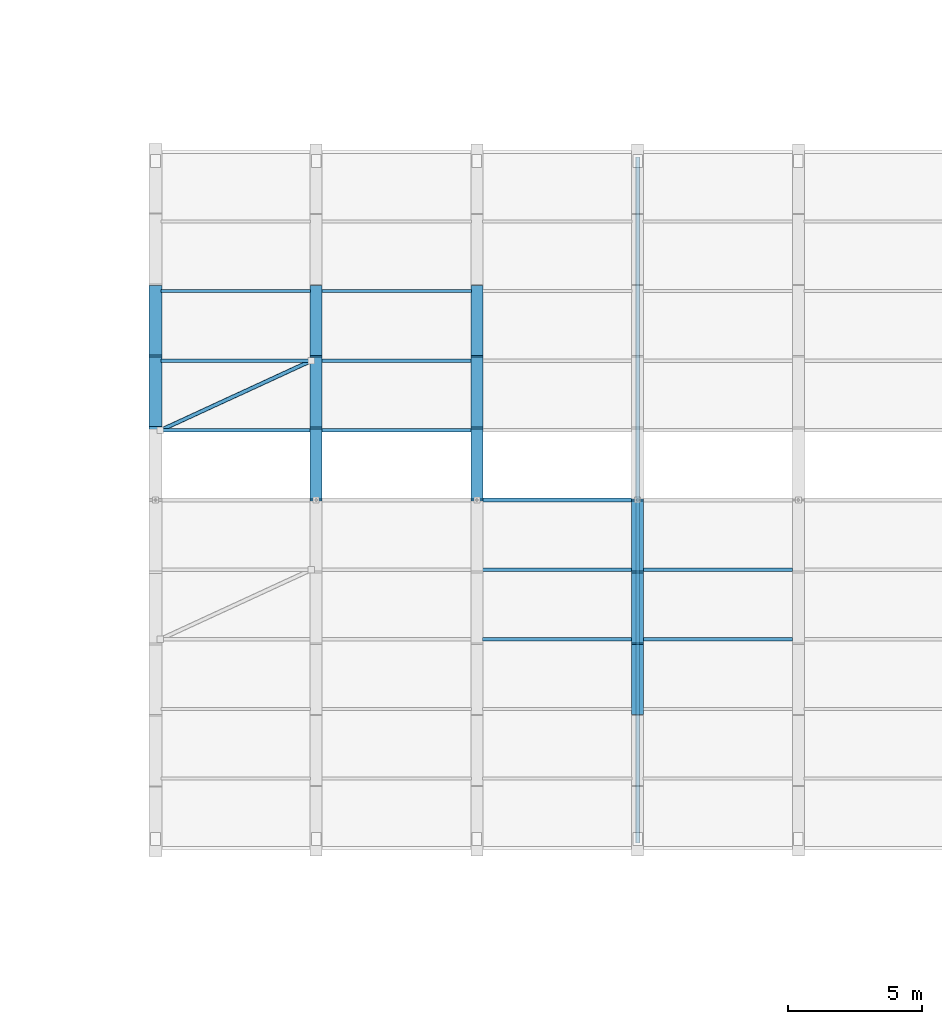
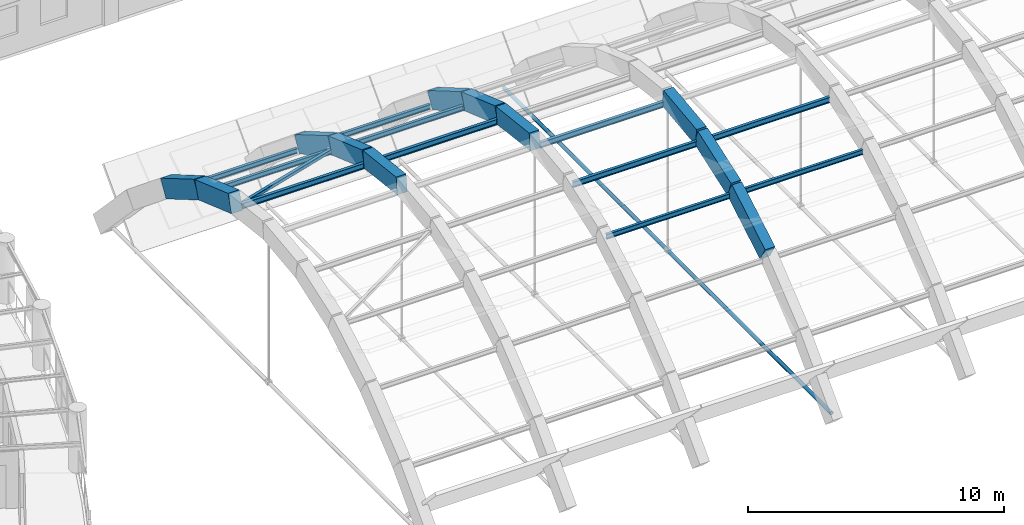
# One storey, part 27 of 123: 22 beams, 2 members.
"""IFC4 building model written with IfcOpenShell, lengths in metres."""

from ifc_helpers import new_model, si_unit, direction, frame, origin, origin_2d, place, context, subcontext, project, spatial, rectangle, hollow_rectangle, hollow_circle, i_section, extrude, material, material_profile, profile_set, type_object, element, save


model = new_model("IFC4")

# Units and contexts
model_context = context("Model", 3, precision=1e-05, world=origin(), true_north=direction((0.0, 1.0)))
body_context = subcontext(model_context, "Body", "Model", "MODEL_VIEW")
ifc_project = project(units=[si_unit("LENGTHUNIT", "METRE"), si_unit("AREAUNIT", "SQUARE_METRE"), si_unit("VOLUMEUNIT", "CUBIC_METRE"), si_unit("PLANEANGLEUNIT", "RADIAN"), si_unit("MASSUNIT", "GRAM", prefix="KILO"), si_unit("POWERUNIT", "WATT"), si_unit("THERMODYNAMICTEMPERATUREUNIT", "KELVIN")], contexts=[model_context])

# Site, building, storey
site_placement = place(None, origin())
site = spatial("IfcSite", under=ifc_project, at=site_placement, CompositionType="ELEMENT")
building_placement = place(site_placement, origin())
building = spatial("IfcBuilding", under=site, at=building_placement, Name="Ruvembo Vaulted Housing Court", CompositionType="ELEMENT")
storey_placement = place(building_placement, frame((0.0, 0.0, 7.699951171875)))
storey = spatial("IfcBuildingStorey", under=building, at=storey_placement, Name="L02", CompositionType="ELEMENT", Elevation=7.699951171875)

# Beams
ifc_material_1 = material(Name="Concrete C35/45", Category="concrete")
ifc_material_profile_1 = material_profile(ifc_material_1, rectangle(XDim=0.449951171875, YDim=0.800048828125, at=origin_2d()), Name="RC 450x800")
ifc_profile_set_1 = profile_set([ifc_material_profile_1], Name="Concrete C35/45")
beam_type_1 = type_object("IfcBeamType", Name="AR-RC-450x800", PredefinedType="BEAM", material=ifc_profile_set_1)
beam_1_placement = place(storey_placement, frame((72.0, 55.0, 6.10009765625), z_axis=(0.0, 0.993236276414, -0.116110719637), x_axis=(-1.0, 0.0, 0.0)))
element("IfcBeam", 1, at=beam_1_placement, inside=storey, type_object=beam_type_1, Name="Community Hall Parabolic Arch Rib AR-02 Seg 6", PredefinedType="BEAM", context=body_context, shape_type="SweptSolid", body=[
    extrude(rectangle(XDim=0.449951171875, YDim=0.800048828125, at=origin_2d()), origin(), (0.0, 0.0, 1.0), 2.617919921875),
])
beam_2_placement = place(storey_placement, frame((72.0, 57.60009765625, 5.796142578125), z_axis=(0.0, 0.943613580104, -0.331048956265), x_axis=(-1.0, 0.0, 0.0)))
element("IfcBeam", 2, at=beam_2_placement, inside=storey, type_object=beam_type_1, Name="Community Hall Parabolic Arch Rib AR-02 Seg 7", PredefinedType="BEAM", context=body_context, shape_type="SweptSolid", body=[
    extrude(rectangle(XDim=0.449951171875, YDim=0.800048828125, at=origin_2d()), origin(), (0.0, 0.0, 1.0), 2.755126953125),
])
beam_3_placement = place(storey_placement, frame((72.0, 60.199951171875, 4.884033203125), z_axis=(0.0, 0.863302227703, -0.504687292928), x_axis=(-1.0, 0.0, 0.0)))
element("IfcBeam", 3, at=beam_3_placement, inside=storey, type_object=beam_type_1, Name="Community Hall Parabolic Arch Rib AR-02 Seg 8", PredefinedType="BEAM", context=body_context, shape_type="SweptSolid", body=[
    extrude(rectangle(XDim=0.449951171875, YDim=0.800048828125, at=origin_2d()), origin(), (0.0, 0.0, 1.0), 3.01171875),
])
beam_4_placement = place(storey_placement, frame((78.0, 55.0, 6.10009765625), z_axis=(0.0, 0.993236276414, -0.116110719637), x_axis=(-1.0, 0.0, 0.0)))
element("IfcBeam", 4, at=beam_4_placement, inside=storey, type_object=beam_type_1, Name="Community Hall Parabolic Arch Rib AR-03 Seg 6", PredefinedType="BEAM", context=body_context, shape_type="SweptSolid", body=[
    extrude(rectangle(XDim=0.449951171875, YDim=0.800048828125, at=origin_2d()), origin(), (0.0, 0.0, 1.0), 2.617919921875),
])
beam_5_placement = place(storey_placement, frame((78.0, 57.60009765625, 5.796142578125), z_axis=(0.0, 0.943613580104, -0.331048956265), x_axis=(-1.0, 0.0, 0.0)))
element("IfcBeam", 5, at=beam_5_placement, inside=storey, type_object=beam_type_1, Name="Community Hall Parabolic Arch Rib AR-03 Seg 7", PredefinedType="BEAM", context=body_context, shape_type="SweptSolid", body=[
    extrude(rectangle(XDim=0.449951171875, YDim=0.800048828125, at=origin_2d()), origin(), (0.0, 0.0, 1.0), 2.755126953125),
])
for number, where, z_axis, x_axis, name in (
    (6, (78.0, 60.199951171875, 4.884033203125), (0.0, 0.863302227703, -0.504687292928), (-1.0, 0.0, 0.0), "Community Hall Parabolic Arch Rib AR-03 Seg 8"),
    (7, (84.0, 47.199951171875, 3.364013671875), (0.0, 0.863302227703, 0.504687292928), (-1.0, 0.0, 0.0), "Community Hall Parabolic Arch Rib AR-04 Seg 3"),
):
    element("IfcBeam", number, at=place(storey_placement, frame(where, z_axis=z_axis, x_axis=x_axis)), inside=storey, type_object=beam_type_1, Name=name, PredefinedType="BEAM", context=body_context, shape_type="SweptSolid", body=[
        extrude(rectangle(XDim=0.449951171875, YDim=0.800048828125, at=origin_2d()), origin(), (0.0, 0.0, 1.0), 3.01171875),
    ])
beam_6_placement = place(storey_placement, frame((84.0, 49.800048828125, 4.884033203125), z_axis=(0.0, 0.943613580104, 0.331048956265), x_axis=(-1.0, 0.0, 0.0)))
element("IfcBeam", 8, at=beam_6_placement, inside=storey, type_object=beam_type_1, Name="Community Hall Parabolic Arch Rib AR-04 Seg 4", PredefinedType="BEAM", context=body_context, shape_type="SweptSolid", body=[
    extrude(rectangle(XDim=0.449951171875, YDim=0.800048828125, at=origin_2d()), origin(), (0.0, 0.0, 1.0), 2.755126953125),
])
beam_7_placement = place(storey_placement, frame((84.0, 52.39990234375, 5.796142578125), z_axis=(0.0, 0.993236276414, 0.116110719637), x_axis=(-1.0, 0.0, 0.0)))
element("IfcBeam", 9, at=beam_7_placement, inside=storey, type_object=beam_type_1, Name="Community Hall Parabolic Arch Rib AR-04 Seg 5", PredefinedType="BEAM", context=body_context, shape_type="SweptSolid", body=[
    extrude(rectangle(XDim=0.449951171875, YDim=0.800048828125, at=origin_2d()), origin(), (0.0, 0.0, 1.0), 2.617919921875),
])
ifc_material_profile_2 = material_profile(ifc_material_1, rectangle(XDim=0.5, YDim=0.85009765625, at=origin_2d()), Name="RC 500x850")
ifc_profile_set_2 = profile_set([ifc_material_profile_2], Name="Concrete C35/45")
beam_type_2 = type_object("IfcBeamType", Name="AR-RC-500x850", PredefinedType="BEAM", material=ifc_profile_set_2)
beam_8_placement = place(storey_placement, frame((66.0, 57.60009765625, 5.796142578125), z_axis=(0.0, 0.943613580104, -0.331048956265), x_axis=(-1.0, 0.0, 0.0)))
element("IfcBeam", 10, at=beam_8_placement, inside=storey, type_object=beam_type_2, Name="Community Hall Parabolic Arch Rib AR-01 Seg 7", PredefinedType="BEAM", context=body_context, shape_type="SweptSolid", body=[
    extrude(rectangle(XDim=0.5, YDim=0.85009765625, at=origin_2d()), origin(), (0.0, 0.0, 1.0), 2.755126953125),
])
beam_9_placement = place(storey_placement, frame((66.0, 60.199951171875, 4.884033203125), z_axis=(0.0, 0.863302227703, -0.504687292928), x_axis=(-1.0, 0.0, 0.0)))
element("IfcBeam", 11, at=beam_9_placement, inside=storey, type_object=beam_type_2, Name="Community Hall Parabolic Arch Rib AR-01 Seg 8", PredefinedType="BEAM", context=body_context, shape_type="SweptSolid", body=[
    extrude(rectangle(XDim=0.5, YDim=0.85009765625, at=origin_2d()), origin(), (0.0, 0.0, 1.0), 3.01171875),
])
ifc_material_2 = material(Name="Steel S355J2", Category="steel")
ifc_material_profile_3 = material_profile(ifc_material_2, i_section(OverallWidth=0.1201171875, OverallDepth=0.239990234375, WebThickness=0.006103515625, FlangeThickness=0.009765625, FilletRadius=0.014892578125, at=origin_2d()), Name="IPE 240")
ifc_profile_set_3 = profile_set([ifc_material_profile_3], Name="Steel S355J2")
beam_type_3 = type_object("IfcBeamType", Name="BM-ST-IPE240", PredefinedType="BEAM", material=ifc_profile_set_3)
for number, where, z_axis, x_axis, name in (
    (12, (66.2099609375, 60.199951171875, 4.60400390625), (1.0, 0.0, 0.0), (0.0, 1.0, 0.0), "Vault Bay 1 Steel Purlin K7"),
    (13, (66.2099609375, 62.800048828125, 3.083984375), (1.0, 0.0, 0.0), (0.0, 1.0, 0.0), "Vault Bay 1 Steel Purlin K8"),
    (14, (72.2099609375, 60.199951171875, 4.60400390625), (1.0, 0.0, 0.0), (0.0, 1.0, 0.0), "Vault Bay 2 Steel Purlin K7"),
    (15, (72.2099609375, 62.800048828125, 3.083984375), (1.0, 0.0, 0.0), (0.0, 1.0, 0.0), "Vault Bay 2 Steel Purlin K8"),
    (16, (78.2099609375, 49.800048828125, 4.60400390625), (1.0, 0.0, 0.0), (0.0, 1.0, 0.0), "Vault Bay 3 Steel Purlin K3"),
    (17, (84.2099609375, 49.800048828125, 4.60400390625), (1.0, 0.0, 0.0), (0.0, 1.0, 0.0), "Vault Bay 4 Steel Purlin K3"),
):
    element("IfcBeam", number, at=place(storey_placement, frame(where, z_axis=z_axis, x_axis=x_axis)), inside=storey, type_object=beam_type_3, Name=name, PredefinedType="BEAM", context=body_context, shape_type="SweptSolid", body=[
        extrude(i_section(OverallWidth=0.1201171875, OverallDepth=0.239990234375, WebThickness=0.006103515625, FlangeThickness=0.009765625, FilletRadius=0.014892578125, at=origin_2d()), origin(), (0.0, 0.0, 1.0), 5.580078125),
    ])
ifc_material_profile_4 = material_profile(ifc_material_2, i_section(OverallWidth=0.135009765625, OverallDepth=0.27001953125, WebThickness=0.006591796875, FlangeThickness=0.01025390625, FilletRadius=0.014892578125, at=origin_2d()), Name="IPE 270")
ifc_profile_set_4 = profile_set([ifc_material_profile_4], Name="Steel S355J2")
beam_type_4 = type_object("IfcBeamType", Name="BM-ST-IPE270", PredefinedType="BEAM", material=ifc_profile_set_4)
for number, where, z_axis, x_axis, name in (
    (18, (66.2099609375, 57.60009765625, 5.51611328125), (1.0, 0.0, 0.0), (0.0, 1.0, 0.0), "Vault Bay 1 Steel Purlin K6"),
    (19, (72.2099609375, 57.60009765625, 5.51611328125), (1.0, 0.0, 0.0), (0.0, 1.0, 0.0), "Vault Bay 2 Steel Purlin K6"),
    (20, (78.2099609375, 52.39990234375, 5.51611328125), (1.0, 0.0, 0.0), (0.0, 1.0, 0.0), "Vault Bay 3 Steel Purlin K4"),
    (21, (78.2099609375, 55.0, 5.820068359375), (1.0, 0.0, 0.0), (0.0, 1.0, 0.0), "Vault Bay 3 Steel Purlin K5"),
    (22, (84.2099609375, 52.39990234375, 5.51611328125), (1.0, 0.0, 0.0), (0.0, 1.0, 0.0), "Vault Bay 4 Steel Purlin K4"),
):
    element("IfcBeam", number, at=place(storey_placement, frame(where, z_axis=z_axis, x_axis=x_axis)), inside=storey, type_object=beam_type_4, Name=name, PredefinedType="BEAM", context=body_context, shape_type="SweptSolid", body=[
        extrude(i_section(OverallWidth=0.135009765625, OverallDepth=0.27001953125, WebThickness=0.006591796875, FlangeThickness=0.01025390625, FilletRadius=0.014892578125, at=origin_2d()), origin(), (0.0, 0.0, 1.0), 5.580078125),
    ])

# Members
ifc_material_profile_5 = material_profile(ifc_material_2, hollow_rectangle(XDim=0.14990234375, YDim=0.14990234375, WallThickness=0.008056640625, InnerFilletRadius=0.008056640625, OuterFilletRadius=0.01611328125, at=origin_2d()), Name="SHS 150x150x8")
ifc_profile_set_5 = profile_set([ifc_material_profile_5], Name="Steel S355J2")
member_type_1 = type_object("IfcMemberType", Name="MEM-BRC-SHS150", PredefinedType="BRACE", material=ifc_profile_set_5)
member_1_placement = place(storey_placement, frame((66.179931640625, 57.60009765625, 5.575927734375), z_axis=(0.898527071987, 0.414181230612, -0.145268747895), x_axis=(-0.418621873876, 0.908160628255, 0.0)))
element("IfcMember", 23, at=member_1_placement, inside=storey, type_object=member_type_1, Name="Vault Roof Arch Wind Brace B1.6", PredefinedType="BRACE", context=body_context, shape_type="SweptSolid", body=[
    extrude(hollow_rectangle(XDim=0.14990234375, YDim=0.14990234375, WallThickness=0.008056640625, InnerFilletRadius=0.008056640625, OuterFilletRadius=0.01611328125, at=origin_2d()), origin(), (0.0, 0.0, 1.0), 6.277099609375),
])
ifc_material_profile_6 = material_profile(ifc_material_2, hollow_circle(Radius=0.084228515625, WallThickness=0.010009765625, at=origin_2d()), Name="CHS 168.3x10")
ifc_profile_set_6 = profile_set([ifc_material_profile_6], Name="Steel S355J2")
member_type_2 = type_object("IfcMemberType", Name="MEM-TIE-CHS168", PredefinedType="USERDEFINED", material=ifc_profile_set_6)
member_2_placement = place(storey_placement, frame((84.0, 42.199951171875, -1.25), z_axis=(0.0, 1.0, 0.0), x_axis=(-1.0, 0.0, 0.0)))
element("IfcMember", 24, at=member_2_placement, inside=storey, type_object=member_type_2, Name="Vault Springing Steel Tension Tie VT-04", ObjectType="TIE_ROD", PredefinedType="USERDEFINED", context=body_context, shape_type="SweptSolid", body=[
    extrude(hollow_circle(Radius=0.084228515625, WallThickness=0.010009765625, at=origin_2d()), origin(), (0.0, 0.0, 1.0), 25.60009765625),
])

save(model, "model.ifc")
